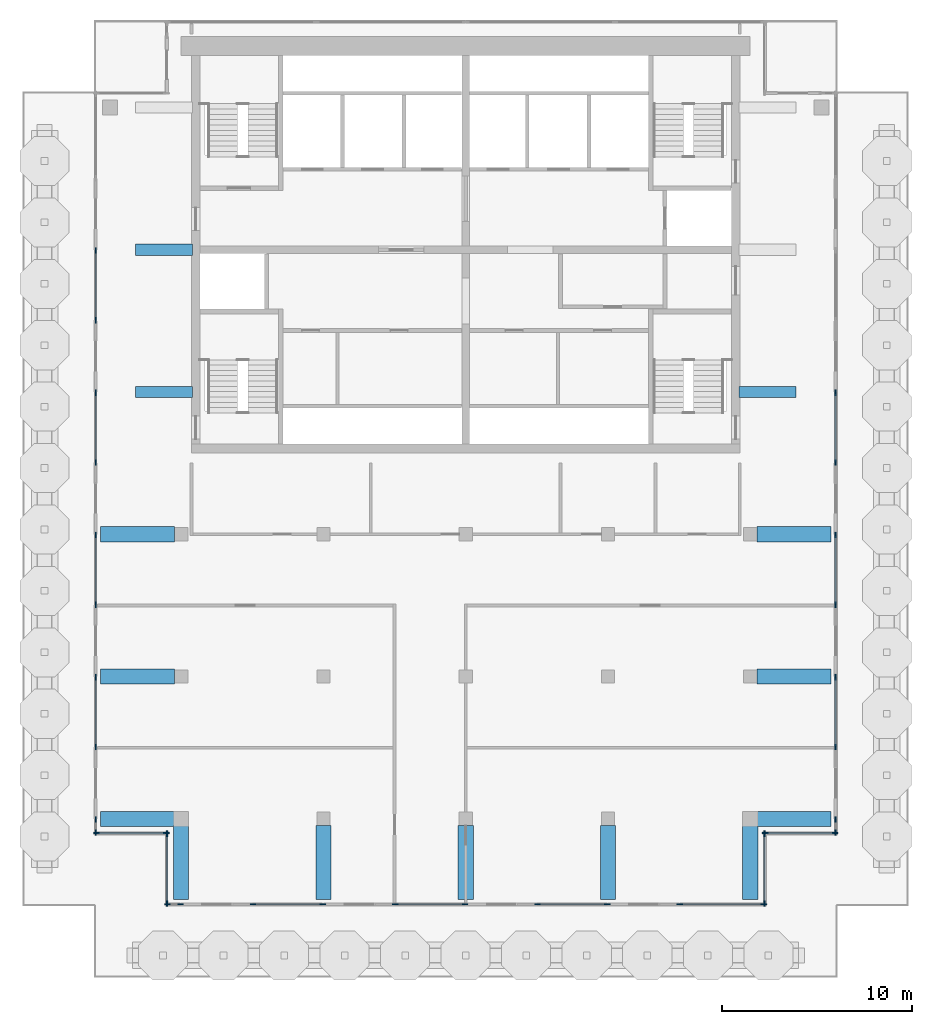
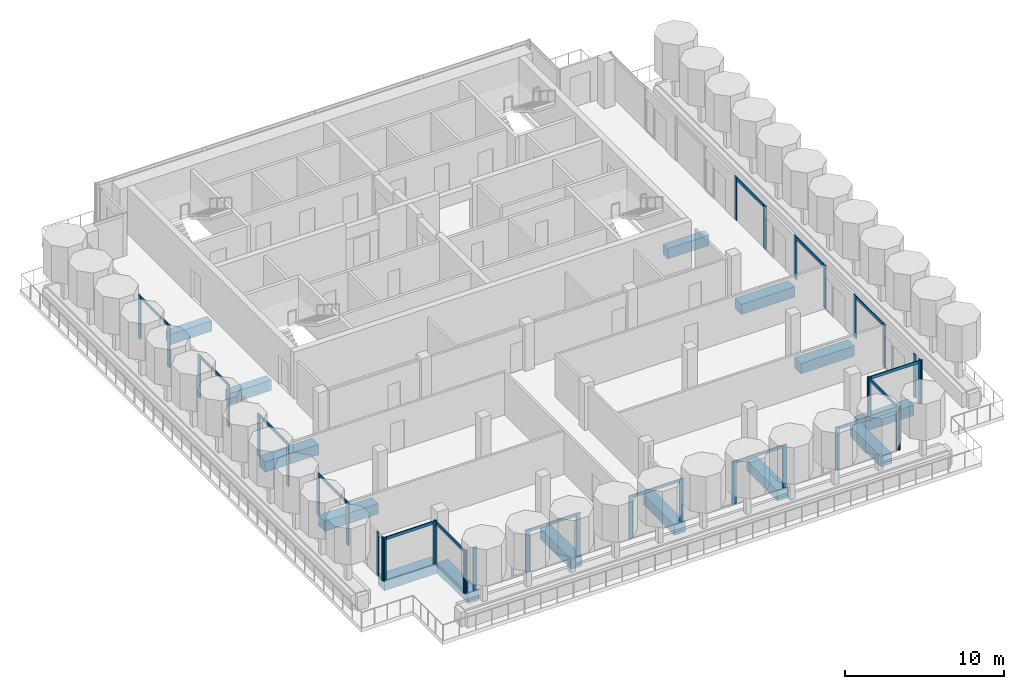
# One storey, part 2 of 15: 51 members, 14 beams, 18 elements without a shape of their own.
"""IFC4 building model written with IfcOpenShell, lengths in metres."""

from ifc_helpers import new_model, si_unit, direction, frame, origin, origin_2d, place, context, subcontext, project, spatial, rectangle, extrude, material, material_profile, profile_set, type_object, element, aggregate, save


model = new_model("IFC4")

# Units and contexts
model_context = context("Model", 3, precision=1e-05, world=origin(), true_north=direction((0.0, 1.0)))
body_context = subcontext(model_context, "Body", "Model", "MODEL_VIEW")
ifc_project = project(units=[si_unit("LENGTHUNIT", "METRE"), si_unit("AREAUNIT", "SQUARE_METRE"), si_unit("VOLUMEUNIT", "CUBIC_METRE"), si_unit("PLANEANGLEUNIT", "RADIAN"), si_unit("MASSUNIT", "GRAM", prefix="KILO")], contexts=[model_context])

# Site, building, storey
site_placement = place(None, origin())
site = spatial("IfcSite", under=ifc_project, at=site_placement, CompositionType="ELEMENT")
building_placement = place(site_placement, origin())
building = spatial("IfcBuilding", under=site, at=building_placement, Name="Pilkhan Gate Tower", CompositionType="ELEMENT")
storey_placement = place(building_placement, frame((0.0, 0.0, 265.699951171875)))
storey = spatial("IfcBuildingStorey", under=building, at=storey_placement, Name="L69", CompositionType="ELEMENT", Elevation=265.699951171875)

# Beams
ifc_material_1 = material(Name="Concrete C50/60", Category="concrete")
ifc_material_profile_1 = material_profile(ifc_material_1, rectangle(XDim=0.60009765625, YDim=0.800048828125, at=origin_2d()), Name="RC 600x800")
ifc_profile_set_1 = profile_set([ifc_material_profile_1], Name="Concrete C50/60")
beam_type_1 = type_object("IfcBeamType", Name="Cantilever beam CB1 RC 600x800 C50/60", PredefinedType="BEAM", material=ifc_profile_set_1)
for number, where, z_axis, x_axis, name in (
    (1, (89.39990234375, 75.0, -0.699951171875), (1.0, 0.0, 0.0), (0.0, 1.0, 0.0), "Crown cantilever beam E9 L69"),
    (2, (60.60009765625, 75.0, -0.699951171875), (-1.0, 0.0, 0.0), (0.0, -1.0, 0.0), "Crown cantilever beam W15 L69"),
    (3, (60.60009765625, 82.5, -0.699951171875), (-1.0, 0.0, 0.0), (0.0, -1.0, 0.0), "Crown cantilever beam W16 L69"),
):
    element("IfcBeam", number, at=place(storey_placement, frame(where, z_axis=z_axis, x_axis=x_axis)), inside=storey, type_object=beam_type_1, Name=name, PredefinedType="BEAM", context=body_context, shape_type="SweptSolid", body=[
        extrude(rectangle(XDim=0.60009765625, YDim=0.800048828125, at=origin_2d()), origin(), (0.0, 0.0, 1.0), 3.0),
    ])
ifc_material_profile_2 = material_profile(ifc_material_1, rectangle(XDim=0.800048828125, YDim=0.800048828125, at=origin_2d()), Name="RC 800x800")
ifc_profile_set_2 = profile_set([ifc_material_profile_2], Name="Concrete C50/60")
beam_type_2 = type_object("IfcBeamType", Name="Cantilever beam CB2 RC 800x800 C50/60", PredefinedType="BEAM", material=ifc_profile_set_2)
for number, where, z_axis, x_axis, name in (
    (4, (60.0, 52.14990234375, -0.699951171875), (0.0, -1.0, 0.0), (1.0, 0.0, 0.0), "Crown cantilever beam S1 L69"),
    (5, (67.5, 52.14990234375, -0.699951171875), (0.0, -1.0, 0.0), (1.0, 0.0, 0.0), "Crown cantilever beam S2 L69"),
    (6, (75.0, 52.14990234375, -0.699951171875), (0.0, -1.0, 0.0), (1.0, 0.0, 0.0), "Crown cantilever beam S3 L69"),
    (7, (82.5, 52.14990234375, -0.699951171875), (0.0, -1.0, 0.0), (1.0, 0.0, 0.0), "Crown cantilever beam S4 L69"),
    (8, (90.0, 52.14990234375, -0.699951171875), (0.0, -1.0, 0.0), (1.0, 0.0, 0.0), "Crown cantilever beam S5 L69"),
    (9, (90.35009765625, 52.5, -0.699951171875), (1.0, 0.0, 0.0), (0.0, 1.0, 0.0), "Crown cantilever beam E6 L69"),
    (10, (90.35009765625, 60.0, -0.699951171875), (1.0, 0.0, 0.0), (0.0, 1.0, 0.0), "Crown cantilever beam E7 L69"),
    (11, (90.35009765625, 67.5, -0.699951171875), (1.0, 0.0, 0.0), (0.0, 1.0, 0.0), "Crown cantilever beam E8 L69"),
    (12, (59.64990234375, 52.5, -0.699951171875), (-1.0, 0.0, 0.0), (0.0, -1.0, 0.0), "Crown cantilever beam W12 L69"),
    (13, (59.64990234375, 60.0, -0.699951171875), (-1.0, 0.0, 0.0), (0.0, -1.0, 0.0), "Crown cantilever beam W13 L69"),
    (14, (59.64990234375, 67.5, -0.699951171875), (-1.0, 0.0, 0.0), (0.0, -1.0, 0.0), "Crown cantilever beam W14 L69"),
):
    element("IfcBeam", number, at=place(storey_placement, frame(where, z_axis=z_axis, x_axis=x_axis)), inside=storey, type_object=beam_type_2, Name=name, PredefinedType="BEAM", context=body_context, shape_type="SweptSolid", body=[
        extrude(rectangle(XDim=0.800048828125, YDim=0.800048828125, at=origin_2d()), origin(), (0.0, 0.0, 1.0), 3.89990234375),
    ])

# Curtain wall, members
ifc_material_2 = material(Name="Pale anodised aluminium, clear low-iron double glazing", Category="aluminium")
curtain_wall_type = type_object("IfcCurtainWallType", Name="Crown unitised curtain wall CW-C", PredefinedType="USERDEFINED", material=ifc_material_2)
curtain_wall_1_placement = place(storey_placement, origin())
curtain_wall_1 = element("IfcCurtainWall", 15, at=curtain_wall_1_placement, inside=storey, type_object=curtain_wall_type, Name="Crown unitised curtain wall CW-C L69 E", ObjectType="UNITISED CURTAIN WALL", PredefinedType="USERDEFINED")
ifc_material_3 = material(Name="Pale anodised aluminium", Category="aluminium")
ifc_material_profile_3 = material_profile(ifc_material_3, rectangle(XDim=0.074951171875, YDim=0.300048828125, at=origin_2d()), Name="Mullion 300x75")
ifc_profile_set_3 = profile_set([ifc_material_profile_3], Name="Pale anodised aluminium")
member_type_1 = type_object("IfcMemberType", Name="Mullion CW-C 300x75", PredefinedType="MULLION", material=ifc_profile_set_3)
member_1_placement = place(storey_placement, frame((94.5, 51.78759765625, 0.0), z_axis=(0.0, 0.0, 1.0), x_axis=(-1.0, 0.0, 0.0)))
member_1 = element("IfcMember", 16, at=member_1_placement, type_object=member_type_1, Name="CW-C mullion 1", PredefinedType="MULLION", context=body_context, shape_type="SweptSolid", body=[
    extrude(rectangle(XDim=0.074951171875, YDim=0.300048828125, at=origin_2d()), origin(), (0.0, 0.0, 1.0), 3.300048828125),
])
member_2_placement = place(storey_placement, frame((94.5, 52.46240234375, 0.0), z_axis=(0.0, 0.0, 1.0), x_axis=(-1.0, 0.0, 0.0)))
member_2 = element("IfcMember", 17, at=member_2_placement, type_object=member_type_1, Name="CW-C mullion 2", PredefinedType="MULLION", context=body_context, shape_type="SweptSolid", body=[
    extrude(rectangle(XDim=0.074951171875, YDim=0.300048828125, at=origin_2d()), origin(), (0.0, 0.0, 1.0), 3.300048828125),
])
aggregate(curtain_wall_1, [member_1, member_2])

curtain_wall_2_placement = place(storey_placement, origin())
curtain_wall_2 = element("IfcCurtainWall", 18, at=curtain_wall_2_placement, inside=storey, type_object=curtain_wall_type, Name="Crown unitised curtain wall CW-C L69 E", ObjectType="UNITISED CURTAIN WALL", PredefinedType="USERDEFINED")
member_3_placement = place(storey_placement, frame((94.5, 56.28759765625, 0.0), z_axis=(0.0, 0.0, 1.0), x_axis=(-1.0, 0.0, 0.0)))
member_3 = element("IfcMember", 19, at=member_3_placement, type_object=member_type_1, Name="CW-C mullion 1", PredefinedType="MULLION", context=body_context, shape_type="SweptSolid", body=[
    extrude(rectangle(XDim=0.074951171875, YDim=0.300048828125, at=origin_2d()), origin(), (0.0, 0.0, 1.0), 3.300048828125),
])
member_4_placement = place(storey_placement, frame((94.5, 59.96240234375, 0.0), z_axis=(0.0, 0.0, 1.0), x_axis=(-1.0, 0.0, 0.0)))
member_4 = element("IfcMember", 20, at=member_4_placement, type_object=member_type_1, Name="CW-C mullion 2", PredefinedType="MULLION", context=body_context, shape_type="SweptSolid", body=[
    extrude(rectangle(XDim=0.074951171875, YDim=0.300048828125, at=origin_2d()), origin(), (0.0, 0.0, 1.0), 3.300048828125),
])

curtain_wall_3_placement = place(storey_placement, origin())
curtain_wall_3 = element("IfcCurtainWall", 21, at=curtain_wall_3_placement, inside=storey, type_object=curtain_wall_type, Name="Crown unitised curtain wall CW-C L69 E", ObjectType="UNITISED CURTAIN WALL", PredefinedType="USERDEFINED")
member_5_placement = place(storey_placement, frame((94.5, 63.78759765625, 0.0), z_axis=(0.0, 0.0, 1.0), x_axis=(-1.0, 0.0, 0.0)))
member_5 = element("IfcMember", 22, at=member_5_placement, type_object=member_type_1, Name="CW-C mullion 1", PredefinedType="MULLION", context=body_context, shape_type="SweptSolid", body=[
    extrude(rectangle(XDim=0.074951171875, YDim=0.300048828125, at=origin_2d()), origin(), (0.0, 0.0, 1.0), 3.300048828125),
])
member_6_placement = place(storey_placement, frame((94.5, 67.46240234375, 0.0), z_axis=(0.0, 0.0, 1.0), x_axis=(-1.0, 0.0, 0.0)))
member_6 = element("IfcMember", 23, at=member_6_placement, type_object=member_type_1, Name="CW-C mullion 2", PredefinedType="MULLION", context=body_context, shape_type="SweptSolid", body=[
    extrude(rectangle(XDim=0.074951171875, YDim=0.300048828125, at=origin_2d()), origin(), (0.0, 0.0, 1.0), 3.300048828125),
])

curtain_wall_4_placement = place(storey_placement, origin())
curtain_wall_4 = element("IfcCurtainWall", 24, at=curtain_wall_4_placement, inside=storey, type_object=curtain_wall_type, Name="Crown unitised curtain wall CW-C L69 E", ObjectType="UNITISED CURTAIN WALL", PredefinedType="USERDEFINED")
member_7_placement = place(storey_placement, frame((94.5, 71.28759765625, 0.0), z_axis=(0.0, 0.0, 1.0), x_axis=(-1.0, 0.0, 0.0)))
member_7 = element("IfcMember", 25, at=member_7_placement, type_object=member_type_1, Name="CW-C mullion 1", PredefinedType="MULLION", context=body_context, shape_type="SweptSolid", body=[
    extrude(rectangle(XDim=0.074951171875, YDim=0.300048828125, at=origin_2d()), origin(), (0.0, 0.0, 1.0), 3.300048828125),
])
member_8_placement = place(storey_placement, frame((94.5, 74.96240234375, 0.0), z_axis=(0.0, 0.0, 1.0), x_axis=(-1.0, 0.0, 0.0)))
member_8 = element("IfcMember", 26, at=member_8_placement, type_object=member_type_1, Name="CW-C mullion 2", PredefinedType="MULLION", context=body_context, shape_type="SweptSolid", body=[
    extrude(rectangle(XDim=0.074951171875, YDim=0.300048828125, at=origin_2d()), origin(), (0.0, 0.0, 1.0), 3.300048828125),
])

curtain_wall_5_placement = place(storey_placement, origin())
curtain_wall_5 = element("IfcCurtainWall", 27, at=curtain_wall_5_placement, inside=storey, type_object=curtain_wall_type, Name="Crown unitised curtain wall CW-C L69 W", ObjectType="UNITISED CURTAIN WALL", PredefinedType="USERDEFINED")
member_9_placement = place(storey_placement, frame((55.5, 51.78759765625, 0.0), z_axis=(0.0, 0.0, 1.0), x_axis=(-1.0, 0.0, 0.0)))
member_9 = element("IfcMember", 28, at=member_9_placement, type_object=member_type_1, Name="CW-C mullion 1", PredefinedType="MULLION", context=body_context, shape_type="SweptSolid", body=[
    extrude(rectangle(XDim=0.074951171875, YDim=0.300048828125, at=origin_2d()), origin(), (0.0, 0.0, 1.0), 3.300048828125),
])
member_10_placement = place(storey_placement, frame((55.5, 52.46240234375, 0.0), z_axis=(0.0, 0.0, 1.0), x_axis=(-1.0, 0.0, 0.0)))
member_10 = element("IfcMember", 29, at=member_10_placement, type_object=member_type_1, Name="CW-C mullion 2", PredefinedType="MULLION", context=body_context, shape_type="SweptSolid", body=[
    extrude(rectangle(XDim=0.074951171875, YDim=0.300048828125, at=origin_2d()), origin(), (0.0, 0.0, 1.0), 3.300048828125),
])
aggregate(curtain_wall_5, [member_9, member_10])

curtain_wall_6_placement = place(storey_placement, origin())
curtain_wall_6 = element("IfcCurtainWall", 30, at=curtain_wall_6_placement, inside=storey, type_object=curtain_wall_type, Name="Crown unitised curtain wall CW-C L69 W", ObjectType="UNITISED CURTAIN WALL", PredefinedType="USERDEFINED")
member_11_placement = place(storey_placement, frame((55.5, 56.28759765625, 0.0), z_axis=(0.0, 0.0, 1.0), x_axis=(-1.0, 0.0, 0.0)))
member_11 = element("IfcMember", 31, at=member_11_placement, type_object=member_type_1, Name="CW-C mullion 1", PredefinedType="MULLION", context=body_context, shape_type="SweptSolid", body=[
    extrude(rectangle(XDim=0.074951171875, YDim=0.300048828125, at=origin_2d()), origin(), (0.0, 0.0, 1.0), 3.300048828125),
])
member_12_placement = place(storey_placement, frame((55.5, 59.96240234375, 0.0), z_axis=(0.0, 0.0, 1.0), x_axis=(-1.0, 0.0, 0.0)))
member_12 = element("IfcMember", 32, at=member_12_placement, type_object=member_type_1, Name="CW-C mullion 2", PredefinedType="MULLION", context=body_context, shape_type="SweptSolid", body=[
    extrude(rectangle(XDim=0.074951171875, YDim=0.300048828125, at=origin_2d()), origin(), (0.0, 0.0, 1.0), 3.300048828125),
])

curtain_wall_7_placement = place(storey_placement, origin())
curtain_wall_7 = element("IfcCurtainWall", 33, at=curtain_wall_7_placement, inside=storey, type_object=curtain_wall_type, Name="Crown unitised curtain wall CW-C L69 W", ObjectType="UNITISED CURTAIN WALL", PredefinedType="USERDEFINED")
member_13_placement = place(storey_placement, frame((55.5, 63.78759765625, 0.0), z_axis=(0.0, 0.0, 1.0), x_axis=(-1.0, 0.0, 0.0)))
member_13 = element("IfcMember", 34, at=member_13_placement, type_object=member_type_1, Name="CW-C mullion 1", PredefinedType="MULLION", context=body_context, shape_type="SweptSolid", body=[
    extrude(rectangle(XDim=0.074951171875, YDim=0.300048828125, at=origin_2d()), origin(), (0.0, 0.0, 1.0), 3.300048828125),
])
member_14_placement = place(storey_placement, frame((55.5, 67.46240234375, 0.0), z_axis=(0.0, 0.0, 1.0), x_axis=(-1.0, 0.0, 0.0)))
member_14 = element("IfcMember", 35, at=member_14_placement, type_object=member_type_1, Name="CW-C mullion 2", PredefinedType="MULLION", context=body_context, shape_type="SweptSolid", body=[
    extrude(rectangle(XDim=0.074951171875, YDim=0.300048828125, at=origin_2d()), origin(), (0.0, 0.0, 1.0), 3.300048828125),
])

curtain_wall_8_placement = place(storey_placement, origin())
curtain_wall_8 = element("IfcCurtainWall", 36, at=curtain_wall_8_placement, inside=storey, type_object=curtain_wall_type, Name="Crown unitised curtain wall CW-C L69 W", ObjectType="UNITISED CURTAIN WALL", PredefinedType="USERDEFINED")
member_15_placement = place(storey_placement, frame((55.5, 71.28759765625, 0.0), z_axis=(0.0, 0.0, 1.0), x_axis=(-1.0, 0.0, 0.0)))
member_15 = element("IfcMember", 37, at=member_15_placement, type_object=member_type_1, Name="CW-C mullion 1", PredefinedType="MULLION", context=body_context, shape_type="SweptSolid", body=[
    extrude(rectangle(XDim=0.074951171875, YDim=0.300048828125, at=origin_2d()), origin(), (0.0, 0.0, 1.0), 3.300048828125),
])
member_16_placement = place(storey_placement, frame((55.5, 74.96240234375, 0.0), z_axis=(0.0, 0.0, 1.0), x_axis=(-1.0, 0.0, 0.0)))
member_16 = element("IfcMember", 38, at=member_16_placement, type_object=member_type_1, Name="CW-C mullion 2", PredefinedType="MULLION", context=body_context, shape_type="SweptSolid", body=[
    extrude(rectangle(XDim=0.074951171875, YDim=0.300048828125, at=origin_2d()), origin(), (0.0, 0.0, 1.0), 3.300048828125),
])

curtain_wall_9_placement = place(storey_placement, origin())
curtain_wall_9 = element("IfcCurtainWall", 39, at=curtain_wall_9_placement, inside=storey, type_object=curtain_wall_type, Name="Crown unitised curtain wall CW-C L69 W", ObjectType="UNITISED CURTAIN WALL", PredefinedType="USERDEFINED")
member_17_placement = place(storey_placement, frame((55.5, 78.78759765625, 0.0), z_axis=(0.0, 0.0, 1.0), x_axis=(-1.0, 0.0, 0.0)))
member_17 = element("IfcMember", 40, at=member_17_placement, type_object=member_type_1, Name="CW-C mullion 1", PredefinedType="MULLION", context=body_context, shape_type="SweptSolid", body=[
    extrude(rectangle(XDim=0.074951171875, YDim=0.300048828125, at=origin_2d()), origin(), (0.0, 0.0, 1.0), 3.300048828125),
])
member_18_placement = place(storey_placement, frame((55.5, 82.46240234375, 0.0), z_axis=(0.0, 0.0, 1.0), x_axis=(-1.0, 0.0, 0.0)))
member_18 = element("IfcMember", 41, at=member_18_placement, type_object=member_type_1, Name="CW-C mullion 2", PredefinedType="MULLION", context=body_context, shape_type="SweptSolid", body=[
    extrude(rectangle(XDim=0.074951171875, YDim=0.300048828125, at=origin_2d()), origin(), (0.0, 0.0, 1.0), 3.300048828125),
])

curtain_wall_10_placement = place(storey_placement, origin())
curtain_wall_10 = element("IfcCurtainWall", 42, at=curtain_wall_10_placement, inside=storey, type_object=curtain_wall_type, Name="Crown unitised curtain wall CW-C L69 S", ObjectType="UNITISED CURTAIN WALL", PredefinedType="USERDEFINED")
member_19_placement = place(storey_placement, frame((55.53759765625, 51.75, 0.0), z_axis=(0.0, 0.0, 1.0), x_axis=(0.0, 1.0, 0.0)))
member_19 = element("IfcMember", 43, at=member_19_placement, type_object=member_type_1, Name="CW-C mullion 1", PredefinedType="MULLION", context=body_context, shape_type="SweptSolid", body=[
    extrude(rectangle(XDim=0.074951171875, YDim=0.300048828125, at=origin_2d()), origin(), (0.0, 0.0, 1.0), 3.300048828125),
])
member_20_placement = place(storey_placement, frame((59.21240234375, 51.75, 0.0), z_axis=(0.0, 0.0, 1.0), x_axis=(0.0, 1.0, 0.0)))
member_20 = element("IfcMember", 44, at=member_20_placement, type_object=member_type_1, Name="CW-C mullion 2", PredefinedType="MULLION", context=body_context, shape_type="SweptSolid", body=[
    extrude(rectangle(XDim=0.074951171875, YDim=0.300048828125, at=origin_2d()), origin(), (0.0, 0.0, 1.0), 3.300048828125),
])

curtain_wall_11_placement = place(storey_placement, origin())
curtain_wall_11 = element("IfcCurtainWall", 45, at=curtain_wall_11_placement, inside=storey, type_object=curtain_wall_type, Name="Crown unitised curtain wall CW-C L69 W", ObjectType="UNITISED CURTAIN WALL", PredefinedType="USERDEFINED")
member_21_placement = place(storey_placement, frame((59.25, 48.03759765625, 0.0), z_axis=(0.0, 0.0, 1.0), x_axis=(-1.0, 0.0, 0.0)))
member_21 = element("IfcMember", 46, at=member_21_placement, type_object=member_type_1, Name="CW-C mullion 1", PredefinedType="MULLION", context=body_context, shape_type="SweptSolid", body=[
    extrude(rectangle(XDim=0.074951171875, YDim=0.300048828125, at=origin_2d()), origin(), (0.0, 0.0, 1.0), 3.300048828125),
])
member_22_placement = place(storey_placement, frame((59.25, 51.71240234375, 0.0), z_axis=(0.0, 0.0, 1.0), x_axis=(-1.0, 0.0, 0.0)))
member_22 = element("IfcMember", 47, at=member_22_placement, type_object=member_type_1, Name="CW-C mullion 2", PredefinedType="MULLION", context=body_context, shape_type="SweptSolid", body=[
    extrude(rectangle(XDim=0.074951171875, YDim=0.300048828125, at=origin_2d()), origin(), (0.0, 0.0, 1.0), 3.300048828125),
])

curtain_wall_12_placement = place(storey_placement, origin())
curtain_wall_12 = element("IfcCurtainWall", 48, at=curtain_wall_12_placement, inside=storey, type_object=curtain_wall_type, Name="Crown unitised curtain wall CW-C L69 S", ObjectType="UNITISED CURTAIN WALL", PredefinedType="USERDEFINED")
member_23_placement = place(storey_placement, frame((59.28759765625, 48.0, 0.0), z_axis=(0.0, 0.0, 1.0), x_axis=(0.0, 1.0, 0.0)))
member_23 = element("IfcMember", 49, at=member_23_placement, type_object=member_type_1, Name="CW-C mullion 1", PredefinedType="MULLION", context=body_context, shape_type="SweptSolid", body=[
    extrude(rectangle(XDim=0.074951171875, YDim=0.300048828125, at=origin_2d()), origin(), (0.0, 0.0, 1.0), 3.300048828125),
])
member_24_placement = place(storey_placement, frame((59.96240234375, 48.0, 0.0), z_axis=(0.0, 0.0, 1.0), x_axis=(0.0, 1.0, 0.0)))
member_24 = element("IfcMember", 50, at=member_24_placement, type_object=member_type_1, Name="CW-C mullion 2", PredefinedType="MULLION", context=body_context, shape_type="SweptSolid", body=[
    extrude(rectangle(XDim=0.074951171875, YDim=0.300048828125, at=origin_2d()), origin(), (0.0, 0.0, 1.0), 3.300048828125),
])
aggregate(curtain_wall_12, [member_23, member_24])

curtain_wall_13_placement = place(storey_placement, origin())
curtain_wall_13 = element("IfcCurtainWall", 51, at=curtain_wall_13_placement, inside=storey, type_object=curtain_wall_type, Name="Crown unitised curtain wall CW-C L69 S", ObjectType="UNITISED CURTAIN WALL", PredefinedType="USERDEFINED")
member_25_placement = place(storey_placement, frame((63.78759765625, 48.0, 0.0), z_axis=(0.0, 0.0, 1.0), x_axis=(0.0, 1.0, 0.0)))
member_25 = element("IfcMember", 52, at=member_25_placement, type_object=member_type_1, Name="CW-C mullion 1", PredefinedType="MULLION", context=body_context, shape_type="SweptSolid", body=[
    extrude(rectangle(XDim=0.074951171875, YDim=0.300048828125, at=origin_2d()), origin(), (0.0, 0.0, 1.0), 3.300048828125),
])
member_26_placement = place(storey_placement, frame((67.46240234375, 48.0, 0.0), z_axis=(0.0, 0.0, 1.0), x_axis=(0.0, 1.0, 0.0)))
member_26 = element("IfcMember", 53, at=member_26_placement, type_object=member_type_1, Name="CW-C mullion 2", PredefinedType="MULLION", context=body_context, shape_type="SweptSolid", body=[
    extrude(rectangle(XDim=0.074951171875, YDim=0.300048828125, at=origin_2d()), origin(), (0.0, 0.0, 1.0), 3.300048828125),
])

curtain_wall_14_placement = place(storey_placement, origin())
curtain_wall_14 = element("IfcCurtainWall", 54, at=curtain_wall_14_placement, inside=storey, type_object=curtain_wall_type, Name="Crown unitised curtain wall CW-C L69 S", ObjectType="UNITISED CURTAIN WALL", PredefinedType="USERDEFINED")
member_27_placement = place(storey_placement, frame((71.28759765625, 48.0, 0.0), z_axis=(0.0, 0.0, 1.0), x_axis=(0.0, 1.0, 0.0)))
member_27 = element("IfcMember", 55, at=member_27_placement, type_object=member_type_1, Name="CW-C mullion 1", PredefinedType="MULLION", context=body_context, shape_type="SweptSolid", body=[
    extrude(rectangle(XDim=0.074951171875, YDim=0.300048828125, at=origin_2d()), origin(), (0.0, 0.0, 1.0), 3.300048828125),
])
member_28_placement = place(storey_placement, frame((74.96240234375, 48.0, 0.0), z_axis=(0.0, 0.0, 1.0), x_axis=(0.0, 1.0, 0.0)))
member_28 = element("IfcMember", 56, at=member_28_placement, type_object=member_type_1, Name="CW-C mullion 2", PredefinedType="MULLION", context=body_context, shape_type="SweptSolid", body=[
    extrude(rectangle(XDim=0.074951171875, YDim=0.300048828125, at=origin_2d()), origin(), (0.0, 0.0, 1.0), 3.300048828125),
])

curtain_wall_15_placement = place(storey_placement, origin())
curtain_wall_15 = element("IfcCurtainWall", 57, at=curtain_wall_15_placement, inside=storey, type_object=curtain_wall_type, Name="Crown unitised curtain wall CW-C L69 S", ObjectType="UNITISED CURTAIN WALL", PredefinedType="USERDEFINED")
member_29_placement = place(storey_placement, frame((78.78759765625, 48.0, 0.0), z_axis=(0.0, 0.0, 1.0), x_axis=(0.0, 1.0, 0.0)))
member_29 = element("IfcMember", 58, at=member_29_placement, type_object=member_type_1, Name="CW-C mullion 1", PredefinedType="MULLION", context=body_context, shape_type="SweptSolid", body=[
    extrude(rectangle(XDim=0.074951171875, YDim=0.300048828125, at=origin_2d()), origin(), (0.0, 0.0, 1.0), 3.300048828125),
])
member_30_placement = place(storey_placement, frame((82.46240234375, 48.0, 0.0), z_axis=(0.0, 0.0, 1.0), x_axis=(0.0, 1.0, 0.0)))
member_30 = element("IfcMember", 59, at=member_30_placement, type_object=member_type_1, Name="CW-C mullion 2", PredefinedType="MULLION", context=body_context, shape_type="SweptSolid", body=[
    extrude(rectangle(XDim=0.074951171875, YDim=0.300048828125, at=origin_2d()), origin(), (0.0, 0.0, 1.0), 3.300048828125),
])

curtain_wall_16_placement = place(storey_placement, origin())
curtain_wall_16 = element("IfcCurtainWall", 60, at=curtain_wall_16_placement, inside=storey, type_object=curtain_wall_type, Name="Crown unitised curtain wall CW-C L69 S", ObjectType="UNITISED CURTAIN WALL", PredefinedType="USERDEFINED")
member_31_placement = place(storey_placement, frame((86.28759765625, 48.0, 0.0), z_axis=(0.0, 0.0, 1.0), x_axis=(0.0, 1.0, 0.0)))
member_31 = element("IfcMember", 61, at=member_31_placement, type_object=member_type_1, Name="CW-C mullion 1", PredefinedType="MULLION", context=body_context, shape_type="SweptSolid", body=[
    extrude(rectangle(XDim=0.074951171875, YDim=0.300048828125, at=origin_2d()), origin(), (0.0, 0.0, 1.0), 3.300048828125),
])
member_32_placement = place(storey_placement, frame((90.71240234375, 48.0, 0.0), z_axis=(0.0, 0.0, 1.0), x_axis=(0.0, 1.0, 0.0)))
member_32 = element("IfcMember", 62, at=member_32_placement, type_object=member_type_1, Name="CW-C mullion 2", PredefinedType="MULLION", context=body_context, shape_type="SweptSolid", body=[
    extrude(rectangle(XDim=0.074951171875, YDim=0.300048828125, at=origin_2d()), origin(), (0.0, 0.0, 1.0), 3.300048828125),
])

curtain_wall_17_placement = place(storey_placement, origin())
curtain_wall_17 = element("IfcCurtainWall", 63, at=curtain_wall_17_placement, inside=storey, type_object=curtain_wall_type, Name="Crown unitised curtain wall CW-C L69 E", ObjectType="UNITISED CURTAIN WALL", PredefinedType="USERDEFINED")
member_33_placement = place(storey_placement, frame((90.75, 48.03759765625, 0.0), z_axis=(0.0, 0.0, 1.0), x_axis=(-1.0, 0.0, 0.0)))
member_33 = element("IfcMember", 64, at=member_33_placement, type_object=member_type_1, Name="CW-C mullion 1", PredefinedType="MULLION", context=body_context, shape_type="SweptSolid", body=[
    extrude(rectangle(XDim=0.074951171875, YDim=0.300048828125, at=origin_2d()), origin(), (0.0, 0.0, 1.0), 3.300048828125),
])
member_34_placement = place(storey_placement, frame((90.75, 51.71240234375, 0.0), z_axis=(0.0, 0.0, 1.0), x_axis=(-1.0, 0.0, 0.0)))
member_34 = element("IfcMember", 65, at=member_34_placement, type_object=member_type_1, Name="CW-C mullion 2", PredefinedType="MULLION", context=body_context, shape_type="SweptSolid", body=[
    extrude(rectangle(XDim=0.074951171875, YDim=0.300048828125, at=origin_2d()), origin(), (0.0, 0.0, 1.0), 3.300048828125),
])

curtain_wall_18_placement = place(storey_placement, origin())
curtain_wall_18 = element("IfcCurtainWall", 66, at=curtain_wall_18_placement, inside=storey, type_object=curtain_wall_type, Name="Crown unitised curtain wall CW-C L69 S", ObjectType="UNITISED CURTAIN WALL", PredefinedType="USERDEFINED")
member_35_placement = place(storey_placement, frame((90.78759765625, 51.75, 0.0), z_axis=(0.0, 0.0, 1.0), x_axis=(0.0, 1.0, 0.0)))
member_35 = element("IfcMember", 67, at=member_35_placement, type_object=member_type_1, Name="CW-C mullion 1", PredefinedType="MULLION", context=body_context, shape_type="SweptSolid", body=[
    extrude(rectangle(XDim=0.074951171875, YDim=0.300048828125, at=origin_2d()), origin(), (0.0, 0.0, 1.0), 3.300048828125),
])
member_36_placement = place(storey_placement, frame((94.46240234375, 51.75, 0.0), z_axis=(0.0, 0.0, 1.0), x_axis=(0.0, 1.0, 0.0)))
member_36 = element("IfcMember", 68, at=member_36_placement, type_object=member_type_1, Name="CW-C mullion 2", PredefinedType="MULLION", context=body_context, shape_type="SweptSolid", body=[
    extrude(rectangle(XDim=0.074951171875, YDim=0.300048828125, at=origin_2d()), origin(), (0.0, 0.0, 1.0), 3.300048828125),
])

# Member
ifc_material_profile_4 = material_profile(ifc_material_3, rectangle(XDim=0.074951171875, YDim=0.219970703125, at=origin_2d()), Name="Transom 220x75")
ifc_profile_set_4 = profile_set([ifc_material_profile_4], Name="Pale anodised aluminium")
member_type_2 = type_object("IfcMemberType", Name="Transom CW-C 220x75", PredefinedType="USERDEFINED", material=ifc_profile_set_4)
member_37_placement = place(storey_placement, frame((94.5, 56.324951171875, 3.18994140625), z_axis=(0.0, 1.0, 0.0), x_axis=(-1.0, 0.0, 0.0)))
member_37 = element("IfcMember", 69, at=member_37_placement, type_object=member_type_2, Name="CW-C transom 1", ObjectType="TRANSOM", PredefinedType="USERDEFINED", context=body_context, shape_type="SweptSolid", body=[
    extrude(rectangle(XDim=0.074951171875, YDim=0.219970703125, at=origin_2d()), origin(), (0.0, 0.0, 1.0), 3.60009765625),
])

aggregate(curtain_wall_2, [member_3, member_4, member_37])

member_38_placement = place(storey_placement, frame((94.5, 63.824951171875, 3.18994140625), z_axis=(0.0, 1.0, 0.0), x_axis=(-1.0, 0.0, 0.0)))
member_38 = element("IfcMember", 70, at=member_38_placement, type_object=member_type_2, Name="CW-C transom 1", ObjectType="TRANSOM", PredefinedType="USERDEFINED", context=body_context, shape_type="SweptSolid", body=[
    extrude(rectangle(XDim=0.074951171875, YDim=0.219970703125, at=origin_2d()), origin(), (0.0, 0.0, 1.0), 3.60009765625),
])

aggregate(curtain_wall_3, [member_5, member_6, member_38])

member_39_placement = place(storey_placement, frame((94.5, 71.324951171875, 3.18994140625), z_axis=(0.0, 1.0, 0.0), x_axis=(-1.0, 0.0, 0.0)))
member_39 = element("IfcMember", 71, at=member_39_placement, type_object=member_type_2, Name="CW-C transom 1", ObjectType="TRANSOM", PredefinedType="USERDEFINED", context=body_context, shape_type="SweptSolid", body=[
    extrude(rectangle(XDim=0.074951171875, YDim=0.219970703125, at=origin_2d()), origin(), (0.0, 0.0, 1.0), 3.60009765625),
])

aggregate(curtain_wall_4, [member_7, member_8, member_39])

member_40_placement = place(storey_placement, frame((55.5, 56.324951171875, 3.18994140625), z_axis=(0.0, 1.0, 0.0), x_axis=(-1.0, 0.0, 0.0)))
member_40 = element("IfcMember", 72, at=member_40_placement, type_object=member_type_2, Name="CW-C transom 1", ObjectType="TRANSOM", PredefinedType="USERDEFINED", context=body_context, shape_type="SweptSolid", body=[
    extrude(rectangle(XDim=0.074951171875, YDim=0.219970703125, at=origin_2d()), origin(), (0.0, 0.0, 1.0), 3.60009765625),
])

aggregate(curtain_wall_6, [member_11, member_12, member_40])

member_41_placement = place(storey_placement, frame((55.5, 63.824951171875, 3.18994140625), z_axis=(0.0, 1.0, 0.0), x_axis=(-1.0, 0.0, 0.0)))
member_41 = element("IfcMember", 73, at=member_41_placement, type_object=member_type_2, Name="CW-C transom 1", ObjectType="TRANSOM", PredefinedType="USERDEFINED", context=body_context, shape_type="SweptSolid", body=[
    extrude(rectangle(XDim=0.074951171875, YDim=0.219970703125, at=origin_2d()), origin(), (0.0, 0.0, 1.0), 3.60009765625),
])

aggregate(curtain_wall_7, [member_13, member_14, member_41])

member_42_placement = place(storey_placement, frame((55.5, 71.324951171875, 3.18994140625), z_axis=(0.0, 1.0, 0.0), x_axis=(-1.0, 0.0, 0.0)))
member_42 = element("IfcMember", 74, at=member_42_placement, type_object=member_type_2, Name="CW-C transom 1", ObjectType="TRANSOM", PredefinedType="USERDEFINED", context=body_context, shape_type="SweptSolid", body=[
    extrude(rectangle(XDim=0.074951171875, YDim=0.219970703125, at=origin_2d()), origin(), (0.0, 0.0, 1.0), 3.60009765625),
])

aggregate(curtain_wall_8, [member_15, member_16, member_42])

member_43_placement = place(storey_placement, frame((55.5, 78.824951171875, 3.18994140625), z_axis=(0.0, 1.0, 0.0), x_axis=(-1.0, 0.0, 0.0)))
member_43 = element("IfcMember", 75, at=member_43_placement, type_object=member_type_2, Name="CW-C transom 1", ObjectType="TRANSOM", PredefinedType="USERDEFINED", context=body_context, shape_type="SweptSolid", body=[
    extrude(rectangle(XDim=0.074951171875, YDim=0.219970703125, at=origin_2d()), origin(), (0.0, 0.0, 1.0), 3.60009765625),
])

aggregate(curtain_wall_9, [member_17, member_18, member_43])

member_44_placement = place(storey_placement, frame((55.574951171875, 51.75, 3.18994140625), z_axis=(1.0, 0.0, 0.0), x_axis=(0.0, 1.0, 0.0)))
member_44 = element("IfcMember", 76, at=member_44_placement, type_object=member_type_2, Name="CW-C transom 1", ObjectType="TRANSOM", PredefinedType="USERDEFINED", context=body_context, shape_type="SweptSolid", body=[
    extrude(rectangle(XDim=0.074951171875, YDim=0.219970703125, at=origin_2d()), origin(), (0.0, 0.0, 1.0), 3.60009765625),
])

aggregate(curtain_wall_10, [member_19, member_20, member_44])

member_45_placement = place(storey_placement, frame((59.25, 48.074951171875, 3.18994140625), z_axis=(0.0, 1.0, 0.0), x_axis=(-1.0, 0.0, 0.0)))
member_45 = element("IfcMember", 77, at=member_45_placement, type_object=member_type_2, Name="CW-C transom 1", ObjectType="TRANSOM", PredefinedType="USERDEFINED", context=body_context, shape_type="SweptSolid", body=[
    extrude(rectangle(XDim=0.074951171875, YDim=0.219970703125, at=origin_2d()), origin(), (0.0, 0.0, 1.0), 3.60009765625),
])

aggregate(curtain_wall_11, [member_21, member_22, member_45])

member_46_placement = place(storey_placement, frame((63.824951171875, 48.0, 3.18994140625), z_axis=(1.0, 0.0, 0.0), x_axis=(0.0, 1.0, 0.0)))
member_46 = element("IfcMember", 78, at=member_46_placement, type_object=member_type_2, Name="CW-C transom 1", ObjectType="TRANSOM", PredefinedType="USERDEFINED", context=body_context, shape_type="SweptSolid", body=[
    extrude(rectangle(XDim=0.074951171875, YDim=0.219970703125, at=origin_2d()), origin(), (0.0, 0.0, 1.0), 3.60009765625),
])

aggregate(curtain_wall_13, [member_25, member_26, member_46])

member_47_placement = place(storey_placement, frame((71.324951171875, 48.0, 3.18994140625), z_axis=(1.0, 0.0, 0.0), x_axis=(0.0, 1.0, 0.0)))
member_47 = element("IfcMember", 79, at=member_47_placement, type_object=member_type_2, Name="CW-C transom 1", ObjectType="TRANSOM", PredefinedType="USERDEFINED", context=body_context, shape_type="SweptSolid", body=[
    extrude(rectangle(XDim=0.074951171875, YDim=0.219970703125, at=origin_2d()), origin(), (0.0, 0.0, 1.0), 3.60009765625),
])

aggregate(curtain_wall_14, [member_27, member_28, member_47])

member_48_placement = place(storey_placement, frame((78.824951171875, 48.0, 3.18994140625), z_axis=(1.0, 0.0, 0.0), x_axis=(0.0, 1.0, 0.0)))
member_48 = element("IfcMember", 80, at=member_48_placement, type_object=member_type_2, Name="CW-C transom 1", ObjectType="TRANSOM", PredefinedType="USERDEFINED", context=body_context, shape_type="SweptSolid", body=[
    extrude(rectangle(XDim=0.074951171875, YDim=0.219970703125, at=origin_2d()), origin(), (0.0, 0.0, 1.0), 3.60009765625),
])

aggregate(curtain_wall_15, [member_29, member_30, member_48])

member_49_placement = place(storey_placement, frame((86.324951171875, 48.0, 3.18994140625), z_axis=(1.0, 0.0, 0.0), x_axis=(0.0, 1.0, 0.0)))
member_49 = element("IfcMember", 81, at=member_49_placement, type_object=member_type_2, Name="CW-C transom 1", ObjectType="TRANSOM", PredefinedType="USERDEFINED", context=body_context, shape_type="SweptSolid", body=[
    extrude(rectangle(XDim=0.074951171875, YDim=0.219970703125, at=origin_2d()), origin(), (0.0, 0.0, 1.0), 4.35009765625),
])

aggregate(curtain_wall_16, [member_31, member_32, member_49])

member_50_placement = place(storey_placement, frame((90.75, 48.074951171875, 3.18994140625), z_axis=(0.0, 1.0, 0.0), x_axis=(-1.0, 0.0, 0.0)))
member_50 = element("IfcMember", 82, at=member_50_placement, type_object=member_type_2, Name="CW-C transom 1", ObjectType="TRANSOM", PredefinedType="USERDEFINED", context=body_context, shape_type="SweptSolid", body=[
    extrude(rectangle(XDim=0.074951171875, YDim=0.219970703125, at=origin_2d()), origin(), (0.0, 0.0, 1.0), 3.60009765625),
])

aggregate(curtain_wall_17, [member_33, member_34, member_50])

member_51_placement = place(storey_placement, frame((90.824951171875, 51.75, 3.18994140625), z_axis=(1.0, 0.0, 0.0), x_axis=(0.0, 1.0, 0.0)))
member_51 = element("IfcMember", 83, at=member_51_placement, type_object=member_type_2, Name="CW-C transom 1", ObjectType="TRANSOM", PredefinedType="USERDEFINED", context=body_context, shape_type="SweptSolid", body=[
    extrude(rectangle(XDim=0.074951171875, YDim=0.219970703125, at=origin_2d()), origin(), (0.0, 0.0, 1.0), 3.60009765625),
])

aggregate(curtain_wall_18, [member_35, member_36, member_51])

save(model, "model.ifc")
